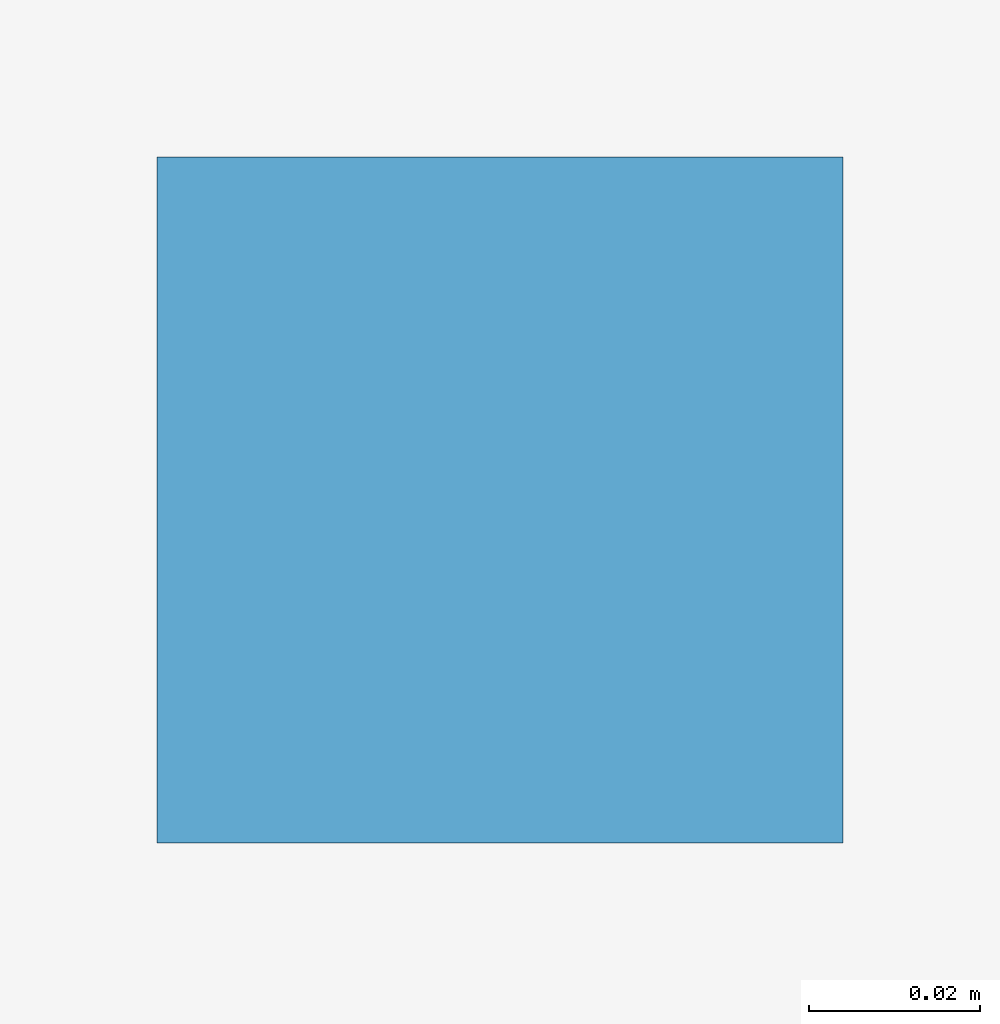
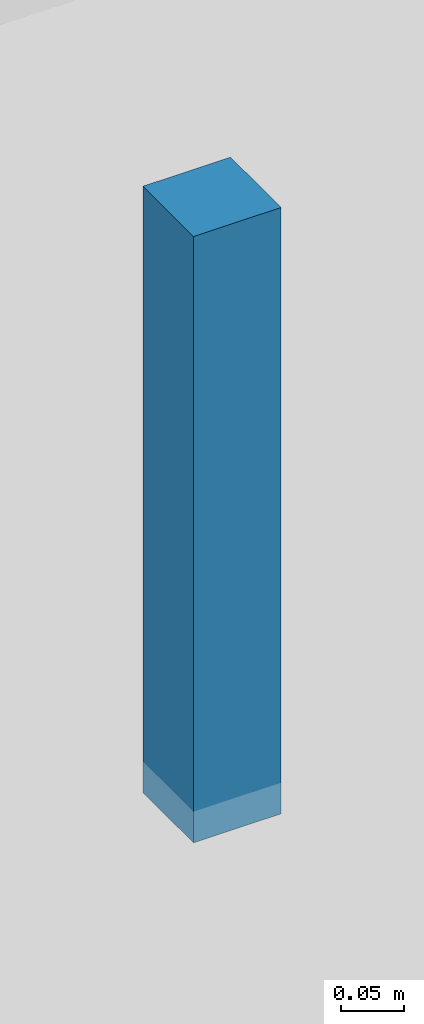
# One storey, part 12 of 18: 1 discrete accessory.
"""IFC4 building model written with IfcOpenShell, lengths in metres."""

from ifc_helpers import new_model, si_unit, direction, frame, origin, origin_2d, place, context, subcontext, project, spatial, rectangle, extrude, source, transform, mapped, material, type_object, element, save


model = new_model("IFC4")

# Units and contexts
model_context = context("Model", 3, precision=1e-05, world=origin(), true_north=direction((0.0, 1.0)))
body_context = subcontext(model_context, "Body", "Model", "MODEL_VIEW")
ifc_project = project(units=[si_unit("LENGTHUNIT", "METRE"), si_unit("AREAUNIT", "SQUARE_METRE"), si_unit("VOLUMEUNIT", "CUBIC_METRE"), si_unit("PLANEANGLEUNIT", "RADIAN"), si_unit("MASSUNIT", "GRAM", prefix="KILO")], contexts=[model_context])

# Site, building, storey
site_placement = place(None, origin())
site = spatial("IfcSite", under=ifc_project, at=site_placement, CompositionType="ELEMENT")
building_placement = place(site_placement, origin())
building = spatial("IfcBuilding", under=site, at=building_placement, Name="Giltprow Tower", CompositionType="ELEMENT")
storey_placement = place(building_placement, frame((0.0, 0.0, 258.699951171875)))
storey = spatial("IfcBuildingStorey", under=building, at=storey_placement, Name="L66", CompositionType="ELEMENT", Elevation=258.699951171875)

# Discrete accessory
ifc_material = material(Name="Structural steel Q355B", Category="steel")
discrete_accessory_type = type_object("IfcDiscreteAccessoryType", Name="ACC-CLG-HANGER", PredefinedType="BRACKET", material=ifc_material)
shared_shape = source(origin(), body_context, "Body", "SweptSolid", [
    extrude(rectangle(XDim=0.080078125, YDim=0.080078125, at=origin_2d()), origin(), (0.0, 0.0, 1.0), 0.5849609375),
])
discrete_accessory_placement = place(storey_placement, frame((35.0, 36.02490234375, 2.61962890625), z_axis=(0.0, 0.0, 1.0), x_axis=(1.0, 0.0, 0.0)))
element("IfcDiscreteAccessory", 1, at=discrete_accessory_placement, inside=storey, type_object=discrete_accessory_type, Name="L66 Residence Gallery Ceiling Suspension Hanger", PredefinedType="BRACKET", context=body_context, shape_type="MappedRepresentation", body=[
    mapped(shared_shape, transform((0.0, 0.0, 0.0), x_axis=(1.0, 0.0, 0.0), y_axis=(0.0, 1.0, 0.0), z_axis=(0.0, 0.0, 1.0), scale=1.0)),
])

save(model, "model.ifc")
